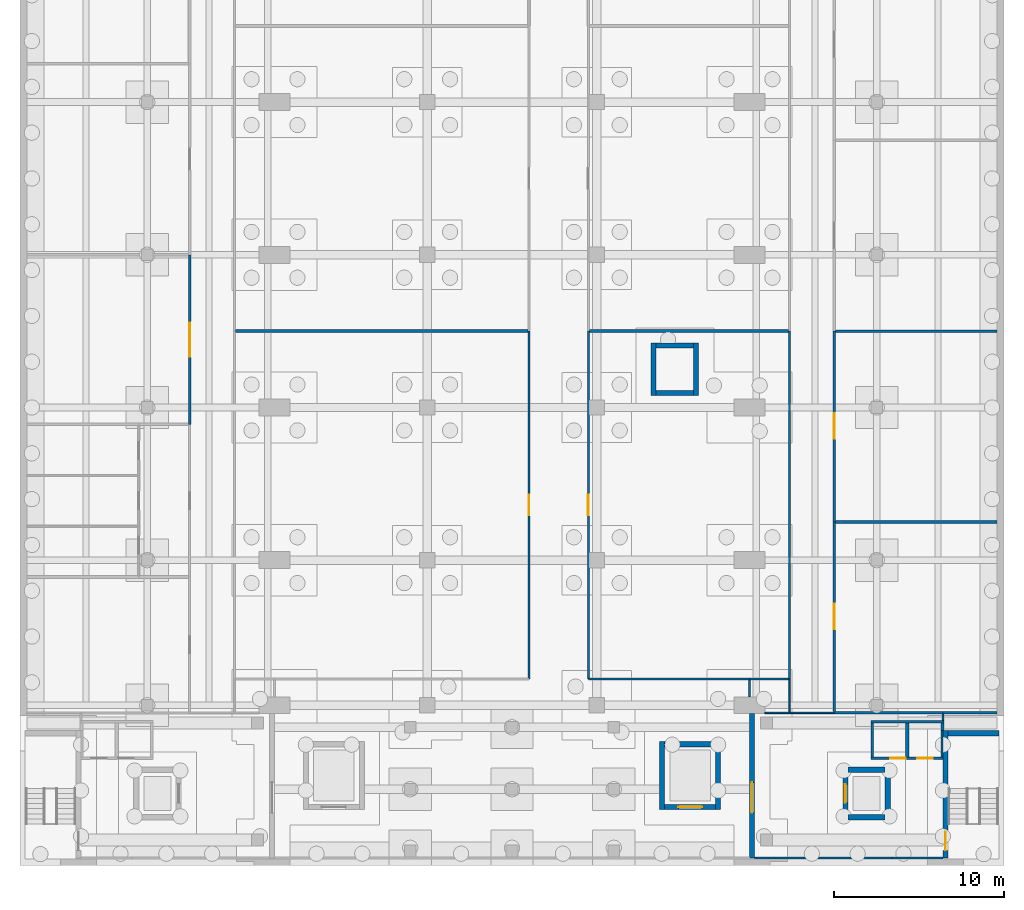
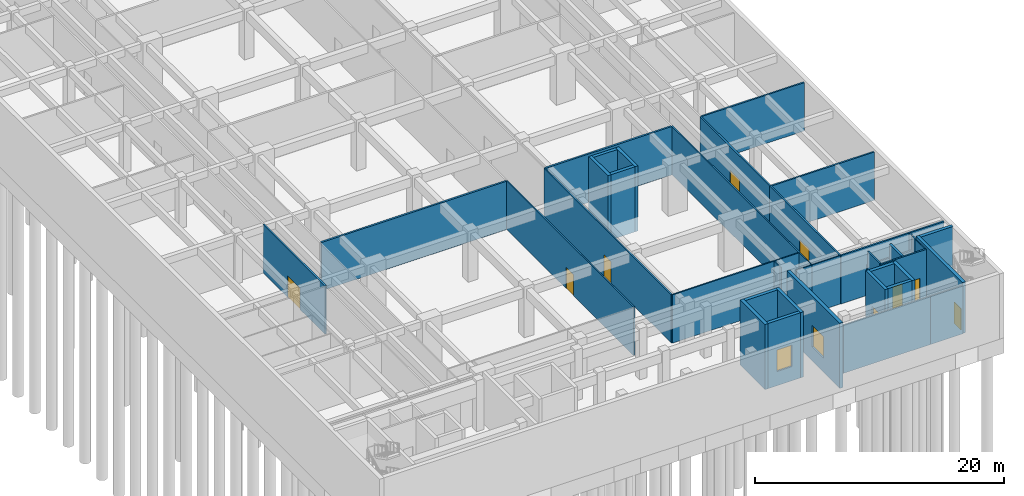
# One storey, part 9 of 19: 42 walls, 11 doors, 11 openings.
"""IFC4 building model written with IfcOpenShell, lengths in metres."""

from ifc_helpers import new_model, si_unit, direction, frame, frame_2d, origin, place, context, subcontext, project, spatial, rectangle, extrude, material, layer, layer_set, type_object, element, fill, save


model = new_model("IFC4")

# Units and contexts
model_context = context("Model", 3, precision=1e-05, world=origin(), true_north=direction((0.0, 1.0)))
body_context = subcontext(model_context, "Body", "Model", "MODEL_VIEW")
ifc_project = project(units=[si_unit("LENGTHUNIT", "METRE"), si_unit("AREAUNIT", "SQUARE_METRE"), si_unit("VOLUMEUNIT", "CUBIC_METRE"), si_unit("PLANEANGLEUNIT", "RADIAN"), si_unit("MASSUNIT", "GRAM", prefix="KILO")], contexts=[model_context])

# Site, building, storey
site_placement = place(None, origin())
site = spatial("IfcSite", under=ifc_project, at=site_placement, CompositionType="ELEMENT")
building_placement = place(site_placement, origin())
building = spatial("IfcBuilding", under=site, at=building_placement, Name="Elmora Arch Market Hall", CompositionType="ELEMENT")
storey_placement = place(building_placement, frame((0.0, 0.0, -10.0)))
storey = spatial("IfcBuildingStorey", under=building, at=storey_placement, Name="B1", CompositionType="ELEMENT", Elevation=-10.0)

# Wall
ifc_material_1 = material(Name="Blockwork", Category="masonry")
ifc_layer_1 = layer(ifc_material_1, 0.10009765625)
ifc_layer_set_1 = layer_set([ifc_layer_1], Name="Blockwork")
wall_type_1 = type_object("IfcWallType", Name="Blockwork partition 100 EI 120", PredefinedType="PARTITIONING", material=ifc_layer_set_1)
wall_1_placement = place(storey_placement, frame((54.35009765625, 24.39990234375, 0.0), z_axis=(0.0, 0.0, 1.0), x_axis=(0.0, 1.0, 0.0)))
element("IfcWall", 1, at=wall_1_placement, inside=storey, type_object=wall_type_1, Name="Riser wall B1 25", PredefinedType="PARTITIONING", context=body_context, shape_type="SweptSolid", body=[
    extrude(rectangle(XDim=1.550048828125, YDim=0.10009765625, at=frame_2d((0.77490234375, 0.0))), origin(), (0.0, 0.0, 1.0), 4.75),
])

# Wall, openings, doors
ifc_material_2 = material(Name="Blockwork", Category="masonry")
ifc_layer_2 = layer(ifc_material_2, 0.14990234375)
ifc_layer_set_2 = layer_set([ifc_layer_2], Name="Blockwork")
wall_type_2 = type_object("IfcWallType", Name="Blockwork partition 150 EI 120", PredefinedType="PARTITIONING", material=ifc_layer_set_2)
wall_2_placement = place(storey_placement, frame((50.14990234375, 24.324951171875, 0.0), z_axis=(0.0, 0.0, 1.0), x_axis=(1.0, 0.0, 0.0)))
wall_2 = element("IfcWall", 2, at=wall_2_placement, inside=storey, type_object=wall_type_2, Name="Riser wall B1 21", PredefinedType="PARTITIONING", context=body_context, shape_type="SweptSolid", body=[
    extrude(rectangle(XDim=4.25, YDim=0.14990234375, at=frame_2d((2.125, 0.0))), origin(), (0.0, 0.0, 1.0), 4.75),
])
opening_1_placement = place(wall_2_placement, frame((1.14990234375, 0.0, 0.0)))
opening_1 = element("IfcOpeningElement", 3, at=opening_1_placement, cuts=wall_2, Name="Opening D-B1-005", PredefinedType="OPENING", context=body_context, shape_type="SweptSolid", body=[
    extrude(rectangle(XDim=0.89990234375, YDim=2.10009765625, at=frame_2d((0.449951171875, 1.050048828125))), frame((0.0, 0.0849609375, 0.0), z_axis=(0.0, -1.0, 0.0), x_axis=(1.0, 0.0, 0.0)), (0.0, 0.0, 1.0), 0.169921875),
])
opening_2_placement = place(wall_2_placement, frame((2.75, 0.0, 0.0)))
opening_2 = element("IfcOpeningElement", 4, at=opening_2_placement, cuts=wall_2, Name="Opening D-B1-006", PredefinedType="OPENING", context=body_context, shape_type="SweptSolid", body=[
    extrude(rectangle(XDim=0.89990234375, YDim=2.10009765625, at=frame_2d((0.449951171875, 1.050048828125))), frame((0.0, 0.0849609375, 0.0), z_axis=(0.0, -1.0, 0.0), x_axis=(1.0, 0.0, 0.0)), (0.0, 0.0, 1.0), 0.169921875),
])
ifc_material_3 = material(Name="Steel ASTM A653 galvanised", Category="steel")
door_type_1 = type_object("IfcDoorType", Name="Door 900 x 2100 FD90", OperationType="SINGLE_SWING_LEFT", PredefinedType="DOOR", material=ifc_material_3)
door_1_placement = place(opening_1_placement, origin())
door_1 = element("IfcDoor", 5, at=door_1_placement, inside=storey, type_object=door_type_1, Name="Riser access door D-B1-005", OperationType="SINGLE_SWING_RIGHT", OverallHeight=2.10009765625, OverallWidth=0.89990234375, PredefinedType="DOOR", context=body_context, shape_type="SweptSolid", body=[
    extrude(rectangle(XDim=0.89990234375, YDim=2.10009765625, at=frame_2d((0.449951171875, 1.050048828125))), frame((0.0, 0.02490234375, 0.0), z_axis=(0.0, -1.0, 0.0), x_axis=(1.0, 0.0, 0.0)), (0.0, 0.0, 1.0), 0.050048828125),
])
fill(opening_1, door_1)
door_2_placement = place(opening_2_placement, origin())
door_2 = element("IfcDoor", 6, at=door_2_placement, inside=storey, type_object=door_type_1, Name="Riser access door D-B1-006", OperationType="SINGLE_SWING_LEFT", OverallHeight=2.10009765625, OverallWidth=0.89990234375, PredefinedType="DOOR", context=body_context, shape_type="SweptSolid", body=[
    extrude(rectangle(XDim=0.89990234375, YDim=2.10009765625, at=frame_2d((0.449951171875, 1.050048828125))), frame((0.0, 0.02490234375, 0.0), z_axis=(0.0, -1.0, 0.0), x_axis=(1.0, 0.0, 0.0)), (0.0, 0.0, 1.0), 0.050048828125),
])
fill(opening_2, door_2)

# Walls
wall_3_placement = place(storey_placement, frame((50.22509765625, 24.39990234375, 0.0), z_axis=(0.0, 0.0, 1.0), x_axis=(0.0, 1.0, 0.0)))
element("IfcWall", 7, at=wall_3_placement, inside=storey, type_object=wall_type_2, Name="Riser wall B1 22", PredefinedType="PARTITIONING", context=body_context, shape_type="SweptSolid", body=[
    extrude(rectangle(XDim=2.0, YDim=0.14990234375, at=frame_2d((1.0, 0.0))), origin(), (0.0, 0.0, 1.0), 4.75),
])
wall_4_placement = place(storey_placement, frame((50.14990234375, 26.47509765625, 0.0), z_axis=(0.0, 0.0, 1.0), x_axis=(1.0, 0.0, 0.0)))
element("IfcWall", 8, at=wall_4_placement, inside=storey, type_object=wall_type_2, Name="Riser wall B1 23", PredefinedType="PARTITIONING", context=body_context, shape_type="SweptSolid", body=[
    extrude(rectangle(XDim=4.300048828125, YDim=0.14990234375, at=frame_2d((2.14990234375, 0.0))), origin(), (0.0, 0.0, 1.0), 3.35009765625),
])
wall_5_placement = place(storey_placement, frame((54.375, 25.949951171875, 0.0), z_axis=(0.0, 0.0, 1.0), x_axis=(0.0, 1.0, 0.0)))
element("IfcWall", 9, at=wall_5_placement, inside=storey, type_object=wall_type_2, Name="Riser wall B1 26", PredefinedType="PARTITIONING", context=body_context, shape_type="SweptSolid", body=[
    extrude(rectangle(XDim=0.449951171875, YDim=0.14990234375, at=frame_2d((0.22509765625, 0.0))), origin(), (0.0, 0.0, 1.0), 4.75),
])

# Wall, opening, door
wall_6_placement = place(storey_placement, frame((10.0, 44.0, 0.0), z_axis=(0.0, 0.0, 1.0), x_axis=(0.0, 1.0, 0.0)))
wall_6 = element("IfcWall", 10, at=wall_6_placement, inside=storey, type_object=wall_type_2, Name="Partition PT-B1-070", PredefinedType="PARTITIONING", context=body_context, shape_type="SweptSolid", body=[
    extrude(rectangle(XDim=10.0, YDim=0.14990234375, at=frame_2d((5.0, 0.0))), origin(), (0.0, 0.0, 1.0), 4.75),
])
opening_3_placement = place(wall_6_placement, frame((4.0, 0.0, 0.0)))
opening_3 = element("IfcOpeningElement", 11, at=opening_3_placement, cuts=wall_6, Name="Opening D-B1-016", PredefinedType="OPENING", context=body_context, shape_type="SweptSolid", body=[
    extrude(rectangle(XDim=2.0, YDim=2.10009765625, at=frame_2d((1.0, 1.050048828125))), frame((0.0, 0.0849609375, 0.0), z_axis=(0.0, -1.0, 0.0), x_axis=(1.0, 0.0, 0.0)), (0.0, 0.0, 1.0), 0.169921875),
])
ifc_material_4 = material(Name="Steel ASTM A653 galvanised", Category="steel")
door_type_2 = type_object("IfcDoorType", Name="Double door 2000 x 2100 FD90", OperationType="DOUBLE_DOOR_SINGLE_SWING", PredefinedType="DOOR", material=ifc_material_4)
door_3_placement = place(opening_3_placement, origin())
door_3 = element("IfcDoor", 12, at=door_3_placement, inside=storey, type_object=door_type_2, Name="D-B1-016", OperationType="DOUBLE_DOOR_SINGLE_SWING", OverallHeight=2.10009765625, OverallWidth=2.0, PredefinedType="DOOR", context=body_context, shape_type="SweptSolid", body=[
    extrude(rectangle(XDim=2.0, YDim=2.10009765625, at=frame_2d((1.0, 1.050048828125))), frame((0.0, 0.02490234375, 0.0), z_axis=(0.0, -1.0, 0.0), x_axis=(1.0, 0.0, 0.0)), (0.0, 0.0, 1.0), 0.050048828125),
])
fill(opening_3, door_3)

# Walls
ifc_material_5 = material(Name="Blockwork", Category="masonry")
ifc_layer_3 = layer(ifc_material_5, 0.199951171875)
ifc_layer_set_3 = layer_set([ifc_layer_3], Name="Blockwork")
wall_type_3 = type_object("IfcWallType", Name="Blockwork partition 200 EI 120", PredefinedType="PARTITIONING", material=ifc_layer_set_3)
wall_7_placement = place(storey_placement, frame((52.300048828125, 24.39990234375, 0.0), z_axis=(0.0, 0.0, 1.0), x_axis=(0.0, 1.0, 0.0)))
element("IfcWall", 13, at=wall_7_placement, inside=storey, type_object=wall_type_3, Name="Riser wall B1 24", PredefinedType="PARTITIONING", context=body_context, shape_type="SweptSolid", body=[
    extrude(rectangle(XDim=2.0, YDim=0.199951171875, at=frame_2d((1.0, 0.0))), origin(), (0.0, 0.0, 1.0), 4.75),
])
ifc_material_6 = material(Name="Insulated metal panel")
ifc_layer_4 = layer(ifc_material_6, 0.14990234375)
ifc_layer_set_4 = layer_set([ifc_layer_4], Name="Insulated metal panel")
wall_type_4 = type_object("IfcWallType", Name="Cold store panel 150 EI 60", PredefinedType="PARTITIONING", material=ifc_layer_set_4)
wall_8_placement = place(storey_placement, frame((48.0, 27.0, 0.0), z_axis=(0.0, 0.0, 1.0), x_axis=(1.0, 0.0, 0.0)))
element("IfcWall", 14, at=wall_8_placement, inside=storey, type_object=wall_type_4, Name="Partition PT-B1-012", PredefinedType="PARTITIONING", context=body_context, shape_type="SweptSolid", body=[
    extrude(rectangle(XDim=6.39990234375, YDim=0.14990234375, at=frame_2d((3.199951171875, 0.0))), origin(), (0.0, 0.0, 1.0), 4.75),
])
wall_9_placement = place(storey_placement, frame((54.39990234375, 27.0, 0.0), z_axis=(0.0, 0.0, 1.0), x_axis=(1.0, 0.0, 0.0)))
element("IfcWall", 15, at=wall_9_placement, inside=storey, type_object=wall_type_4, Name="Partition PT-B1-013", PredefinedType="PARTITIONING", context=body_context, shape_type="SweptSolid", body=[
    extrude(rectangle(XDim=3.2001953125, YDim=0.14990234375, at=frame_2d((1.60009765625, 0.0))), origin(), (0.0, 0.0, 1.0), 4.75),
])
for number, where, z_axis, x_axis, name in (
    (16, (48.074951171875, 38.25, 0.0), (0.0, 0.0, 1.0), (1.0, 0.0, 0.0), "Partition PT-B1-021"),
    (17, (48.074951171875, 49.5, 0.0), (0.0, 0.0, 1.0), (1.0, 0.0, 0.0), "Partition PT-B1-027"),
):
    element("IfcWall", number, at=place(storey_placement, frame(where, z_axis=z_axis, x_axis=x_axis)), inside=storey, type_object=wall_type_4, Name=name, PredefinedType="PARTITIONING", context=body_context, shape_type="SweptSolid", body=[
        extrude(rectangle(XDim=9.525146484375, YDim=0.14990234375, at=frame_2d((4.7626953125, 0.0))), origin(), (0.0, 0.0, 1.0), 4.75),
    ])

# Wall, opening, door
wall_10_placement = place(storey_placement, frame((48.0, 27.074951171875, 0.0), z_axis=(0.0, 0.0, 1.0), x_axis=(0.0, 1.0, 0.0)))
wall_10 = element("IfcWall", 18, at=wall_10_placement, inside=storey, type_object=wall_type_4, Name="Partition PT-B1-101", PredefinedType="PARTITIONING", context=body_context, shape_type="SweptSolid", body=[
    extrude(rectangle(XDim=11.175048828125, YDim=0.14990234375, at=frame_2d((5.58740234375, 0.0))), origin(), (0.0, 0.0, 1.0), 4.75),
])
opening_4_placement = place(wall_10_placement, frame((4.85009765625, 0.0, 0.0)))
opening_4 = element("IfcOpeningElement", 19, at=opening_4_placement, cuts=wall_10, Name="Opening D-B1-008", PredefinedType="OPENING", context=body_context, shape_type="SweptSolid", body=[
    extrude(rectangle(XDim=1.5, YDim=2.39990234375, at=frame_2d((0.75, 1.199951171875))), frame((0.0, 0.0849609375, 0.0), z_axis=(0.0, -1.0, 0.0), x_axis=(1.0, 0.0, 0.0)), (0.0, 0.0, 1.0), 0.169921875),
])
ifc_material_7 = material(Name="Insulated door panel")
door_type_3 = type_object("IfcDoorType", Name="Cold store door 1500 x 2400 FD45", OperationType="SLIDING_TO_LEFT", PredefinedType="DOOR", material=ifc_material_7)
door_4_placement = place(opening_4_placement, origin())
door_4 = element("IfcDoor", 20, at=door_4_placement, inside=storey, type_object=door_type_3, Name="D-B1-008", OperationType="SLIDING_TO_LEFT", OverallHeight=2.39990234375, OverallWidth=1.5, PredefinedType="DOOR", context=body_context, shape_type="SweptSolid", body=[
    extrude(rectangle(XDim=1.5, YDim=2.39990234375, at=frame_2d((0.75, 1.199951171875))), frame((0.0, 0.02490234375, 0.0), z_axis=(0.0, -1.0, 0.0), x_axis=(1.0, 0.0, 0.0)), (0.0, 0.0, 1.0), 0.050048828125),
])
fill(opening_4, door_4)

wall_11_placement = place(storey_placement, frame((48.0, 38.25, 0.0), z_axis=(0.0, 0.0, 1.0), x_axis=(0.0, 1.0, 0.0)))
wall_11 = element("IfcWall", 21, at=wall_11_placement, inside=storey, type_object=wall_type_4, Name="Partition PT-B1-102", PredefinedType="PARTITIONING", context=body_context, shape_type="SweptSolid", body=[
    extrude(rectangle(XDim=11.25, YDim=0.14990234375, at=frame_2d((5.625, 0.0))), origin(), (0.0, 0.0, 1.0), 4.75),
])
opening_5_placement = place(wall_11_placement, frame((4.89990234375, 0.0, 0.0)))
opening_5 = element("IfcOpeningElement", 22, at=opening_5_placement, cuts=wall_11, Name="Opening D-B1-015", PredefinedType="OPENING", context=body_context, shape_type="SweptSolid", body=[
    extrude(rectangle(XDim=1.5, YDim=2.39990234375, at=frame_2d((0.75, 1.199951171875))), frame((0.0, 0.0849609375, 0.0), z_axis=(0.0, -1.0, 0.0), x_axis=(1.0, 0.0, 0.0)), (0.0, 0.0, 1.0), 0.169921875),
])
door_5_placement = place(opening_5_placement, origin())
door_5 = element("IfcDoor", 23, at=door_5_placement, inside=storey, type_object=door_type_3, Name="D-B1-015", OperationType="SLIDING_TO_LEFT", OverallHeight=2.39990234375, OverallWidth=1.5, PredefinedType="DOOR", context=body_context, shape_type="SweptSolid", body=[
    extrude(rectangle(XDim=1.5, YDim=2.39990234375, at=frame_2d((0.75, 1.199951171875))), frame((0.0, 0.02490234375, 0.0), z_axis=(0.0, -1.0, 0.0), x_axis=(1.0, 0.0, 0.0)), (0.0, 0.0, 1.0), 0.050048828125),
])
fill(opening_5, door_5)

ifc_material_8 = material(Name="Concrete C40/50", Category="concrete")
ifc_layer_5 = layer(ifc_material_8, 0.300048828125)
ifc_layer_set_5 = layer_set([ifc_layer_5], Name="Concrete C40/50")
wall_type_5 = type_object("IfcWallType", Name="Dock wall 300", PredefinedType="SOLIDWALL", material=ifc_layer_set_5)
wall_12_placement = place(storey_placement, frame((43.14990234375, 18.449951171875, -1.39990234375), z_axis=(0.0, 0.0, 1.0), x_axis=(0.0, 1.0, 0.0)))
wall_12 = element("IfcWall", 24, at=wall_12_placement, inside=storey, type_object=wall_type_5, Name="Dock wall E B1", PredefinedType="SOLIDWALL", context=body_context, shape_type="SweptSolid", body=[
    extrude(rectangle(XDim=8.5, YDim=0.300048828125, at=frame_2d((4.25, 0.0))), origin(), (0.0, 0.0, 1.0), 6.39990234375),
])
opening_6_placement = place(wall_12_placement, frame((2.64990234375, 0.0, 1.39990234375)))
opening_6 = element("IfcOpeningElement", 25, at=opening_6_placement, cuts=wall_12, Name="Opening D-B1-002", PredefinedType="OPENING", context=body_context, shape_type="SweptSolid", body=[
    extrude(rectangle(XDim=1.800048828125, YDim=2.10009765625, at=frame_2d((0.89990234375, 1.050048828125))), frame((0.0, 0.159912109375, 0.0), z_axis=(0.0, -1.0, 0.0), x_axis=(1.0, 0.0, 0.0)), (0.0, 0.0, 1.0), 0.320068359375),
])
ifc_material_9 = material(Name="Steel ASTM A653 galvanised", Category="steel")
door_type_4 = type_object("IfcDoorType", Name="Double door 1800 x 2100", OperationType="DOUBLE_DOOR_SINGLE_SWING", PredefinedType="DOOR", material=ifc_material_9)
door_6_placement = place(opening_6_placement, frame((1.800048828125, 0.0, 0.0), z_axis=(0.0, 0.0, 1.0), x_axis=(-1.0, 0.0, 0.0)))
door_6 = element("IfcDoor", 26, at=door_6_placement, inside=storey, type_object=door_type_4, Name="D-B1-002", OperationType="DOUBLE_DOOR_SINGLE_SWING", OverallHeight=2.10009765625, OverallWidth=1.800048828125, PredefinedType="DOOR", context=body_context, shape_type="SweptSolid", body=[
    extrude(rectangle(XDim=1.800048828125, YDim=2.10009765625, at=frame_2d((0.89990234375, 1.050048828125))), frame((0.0, 0.02490234375, 0.0), z_axis=(0.0, -1.0, 0.0), x_axis=(1.0, 0.0, 0.0)), (0.0, 0.0, 1.0), 0.050048828125),
])
fill(opening_6, door_6)

ifc_material_10 = material(Name="Concrete C40/50", Category="concrete")
ifc_layer_6 = layer(ifc_material_10, 0.300048828125)
ifc_layer_set_6 = layer_set([ifc_layer_6], Name="Concrete C40/50")
wall_type_6 = type_object("IfcWallType", Name="Lift shaft wall 300", PredefinedType="SHEAR", material=ifc_layer_set_6)
wall_13_placement = place(storey_placement, frame((48.64990234375, 20.699951171875, -1.39990234375), z_axis=(0.0, 0.0, 1.0), x_axis=(0.0, 1.0, 0.0)))
wall_13 = element("IfcWall", 27, at=wall_13_placement, inside=storey, type_object=wall_type_6, Name="Lift shaft wall WL2 W B1", PredefinedType="SHEAR", context=body_context, shape_type="SweptSolid", body=[
    extrude(rectangle(XDim=3.10009765625, YDim=0.300048828125, at=frame_2d((1.550048828125, 0.0))), origin(), (0.0, 0.0, 1.0), 6.39990234375),
])
opening_7_placement = place(wall_13_placement, frame((1.0, 0.0, 1.39990234375)))
opening_7 = element("IfcOpeningElement", 28, at=opening_7_placement, cuts=wall_13, Name="Opening LD-WL2-B1", PredefinedType="OPENING", context=body_context, shape_type="SweptSolid", body=[
    extrude(rectangle(XDim=1.10009765625, YDim=2.10009765625, at=frame_2d((0.550048828125, 1.050048828125))), frame((0.0, 0.159912109375, 0.0), z_axis=(0.0, -1.0, 0.0), x_axis=(1.0, 0.0, 0.0)), (0.0, 0.0, 1.0), 0.320068359375),
])
ifc_material_11 = material(Name="Stainless steel ASTM A240 Type 304", Category="steel")
door_type_5 = type_object("IfcDoorType", Name="Lift landing door 1100 x 2100 FD90", OperationType="SLIDING_TO_LEFT", PredefinedType="DOOR", material=ifc_material_11)
door_7_placement = place(opening_7_placement, origin())
door_7 = element("IfcDoor", 29, at=door_7_placement, inside=storey, type_object=door_type_5, Name="Landing door WL2 B1", OperationType="SLIDING_TO_LEFT", OverallHeight=2.10009765625, OverallWidth=1.10009765625, PredefinedType="DOOR", context=body_context, shape_type="SweptSolid", body=[
    extrude(rectangle(XDim=1.10009765625, YDim=2.10009765625, at=frame_2d((0.550048828125, 1.050048828125))), frame((0.0, 0.02490234375, 0.0), z_axis=(0.0, -1.0, 0.0), x_axis=(1.0, 0.0, 0.0)), (0.0, 0.0, 1.0), 0.050048828125),
])
fill(opening_7, door_7)

# Walls
wall_14_placement = place(storey_placement, frame((51.14990234375, 20.699951171875, -1.39990234375), z_axis=(0.0, 0.0, 1.0), x_axis=(0.0, 1.0, 0.0)))
element("IfcWall", 30, at=wall_14_placement, inside=storey, type_object=wall_type_6, Name="Lift shaft wall WL2 E B1", PredefinedType="SHEAR", context=body_context, shape_type="SweptSolid", body=[
    extrude(rectangle(XDim=3.10009765625, YDim=0.300048828125, at=frame_2d((1.550048828125, 0.0))), origin(), (0.0, 0.0, 1.0), 6.39990234375),
])
for number, where, z_axis, x_axis, name in (
    (31, (48.800048828125, 20.85009765625, -1.39990234375), (0.0, 0.0, 1.0), (1.0, 0.0, 0.0), "Lift shaft wall WL2 S B1"),
    (32, (48.800048828125, 23.64990234375, -1.39990234375), (0.0, 0.0, 1.0), (1.0, 0.0, 0.0), "Lift shaft wall WL2 N B1"),
):
    element("IfcWall", number, at=place(storey_placement, frame(where, z_axis=z_axis, x_axis=x_axis)), inside=storey, type_object=wall_type_6, Name=name, PredefinedType="SHEAR", context=body_context, shape_type="SweptSolid", body=[
        extrude(rectangle(XDim=2.199951171875, YDim=0.300048828125, at=frame_2d((1.10009765625, 0.0))), origin(), (0.0, 0.0, 1.0), 6.39990234375),
    ])
for number, where, z_axis, x_axis, name in (
    (33, (37.35009765625, 45.699951171875, -1.39990234375), (0.0, 0.0, 1.0), (0.0, 1.0, 0.0), "Lift shaft wall ML1 W B1"),
    (34, (39.85009765625, 45.699951171875, -1.39990234375), (0.0, 0.0, 1.0), (0.0, 1.0, 0.0), "Lift shaft wall ML1 E B1"),
):
    element("IfcWall", number, at=place(storey_placement, frame(where, z_axis=z_axis, x_axis=x_axis)), inside=storey, type_object=wall_type_6, Name=name, PredefinedType="SHEAR", context=body_context, shape_type="SweptSolid", body=[
        extrude(rectangle(XDim=3.10009765625, YDim=0.300048828125, at=frame_2d((1.550048828125, 0.0))), origin(), (0.0, 0.0, 1.0), 6.39990234375),
    ])
for number, where, z_axis, x_axis, name in (
    (35, (37.5, 45.85009765625, -1.39990234375), (0.0, 0.0, 1.0), (1.0, 0.0, 0.0), "Lift shaft wall ML1 S B1"),
    (36, (37.5, 48.64990234375, -1.39990234375), (0.0, 0.0, 1.0), (1.0, 0.0, 0.0), "Lift shaft wall ML1 N B1"),
):
    element("IfcWall", number, at=place(storey_placement, frame(where, z_axis=z_axis, x_axis=x_axis)), inside=storey, type_object=wall_type_6, Name=name, PredefinedType="SHEAR", context=body_context, shape_type="SweptSolid", body=[
        extrude(rectangle(XDim=2.199951171875, YDim=0.300048828125, at=frame_2d((1.10009765625, 0.0))), origin(), (0.0, 0.0, 1.0), 6.39990234375),
    ])
for number, where, z_axis, x_axis, name in (
    (37, (37.85009765625, 21.300048828125, -1.39990234375), (0.0, 0.0, 1.0), (0.0, 1.0, 0.0), "Lift shaft wall GL2 W B1"),
    (38, (41.14990234375, 21.300048828125, -1.39990234375), (0.0, 0.0, 1.0), (0.0, 1.0, 0.0), "Lift shaft wall GL2 E B1"),
):
    element("IfcWall", number, at=place(storey_placement, frame(where, z_axis=z_axis, x_axis=x_axis)), inside=storey, type_object=wall_type_6, Name=name, PredefinedType="SHEAR", context=body_context, shape_type="SweptSolid", body=[
        extrude(rectangle(XDim=4.0, YDim=0.300048828125, at=frame_2d((2.0, 0.0))), origin(), (0.0, 0.0, 1.0), 6.39990234375),
    ])

# Wall, opening, door
wall_15_placement = place(storey_placement, frame((38.0, 21.449951171875, -1.39990234375), z_axis=(0.0, 0.0, 1.0), x_axis=(1.0, 0.0, 0.0)))
wall_15 = element("IfcWall", 39, at=wall_15_placement, inside=storey, type_object=wall_type_6, Name="Lift shaft wall GL2 S B1", PredefinedType="SHEAR", context=body_context, shape_type="SweptSolid", body=[
    extrude(rectangle(XDim=3.0, YDim=0.300048828125, at=frame_2d((1.5, 0.0))), origin(), (0.0, 0.0, 1.0), 6.39990234375),
])
opening_8_placement = place(wall_15_placement, frame((0.800048828125, 0.0, 1.39990234375)))
opening_8 = element("IfcOpeningElement", 40, at=opening_8_placement, cuts=wall_15, Name="Opening LD-GL2-B1", PredefinedType="OPENING", context=body_context, shape_type="SweptSolid", body=[
    extrude(rectangle(XDim=1.39990234375, YDim=2.10009765625, at=frame_2d((0.699951171875, 1.050048828125))), frame((0.0, 0.159912109375, 0.0), z_axis=(0.0, -1.0, 0.0), x_axis=(1.0, 0.0, 0.0)), (0.0, 0.0, 1.0), 0.320068359375),
])
ifc_material_12 = material(Name="Stainless steel ASTM A240 Type 304", Category="steel")
door_type_6 = type_object("IfcDoorType", Name="Lift landing door 1400 x 2100 FD90", OperationType="DOUBLE_DOOR_SLIDING", PredefinedType="DOOR", material=ifc_material_12)
door_8_placement = place(opening_8_placement, origin())
door_8 = element("IfcDoor", 41, at=door_8_placement, inside=storey, type_object=door_type_6, Name="Landing door GL2 B1", OperationType="DOUBLE_DOOR_SLIDING", OverallHeight=2.10009765625, OverallWidth=1.39990234375, PredefinedType="DOOR", context=body_context, shape_type="SweptSolid", body=[
    extrude(rectangle(XDim=1.39990234375, YDim=2.10009765625, at=frame_2d((0.699951171875, 1.050048828125))), frame((0.0, 0.02490234375, 0.0), z_axis=(0.0, -1.0, 0.0), x_axis=(1.0, 0.0, 0.0)), (0.0, 0.0, 1.0), 0.050048828125),
])
fill(opening_8, door_8)

# Walls
wall_16_placement = place(storey_placement, frame((38.0, 25.14990234375, -1.39990234375), z_axis=(0.0, 0.0, 1.0), x_axis=(1.0, 0.0, 0.0)))
element("IfcWall", 42, at=wall_16_placement, inside=storey, type_object=wall_type_6, Name="Lift shaft wall GL2 N B1", PredefinedType="SHEAR", context=body_context, shape_type="SweptSolid", body=[
    extrude(rectangle(XDim=3.0, YDim=0.300048828125, at=frame_2d((1.5, 0.0))), origin(), (0.0, 0.0, 1.0), 6.39990234375),
])
ifc_material_13 = material(Name="Gypsum board on metal studs")
ifc_layer_7 = layer(ifc_material_13, 0.10009765625)
ifc_layer_set_7 = layer_set([ifc_layer_7], Name="Gypsum board on metal studs")
wall_type_7 = type_object("IfcWallType", Name="Partition 100", PredefinedType="PARTITIONING", material=ifc_layer_set_7)
wall_17_placement = place(storey_placement, frame((43.300048828125, 18.449951171875, 0.0), z_axis=(0.0, 0.0, 1.0), x_axis=(1.0, 0.0, 0.0)))
element("IfcWall", 43, at=wall_17_placement, inside=storey, type_object=wall_type_7, Name="Partition PT-B1-004", PredefinedType="PARTITIONING", context=body_context, shape_type="SweptSolid", body=[
    extrude(rectangle(XDim=8.10986328125, YDim=0.10009765625, at=frame_2d((4.054931640625, 0.0))), origin(), (0.0, 0.0, 1.0), 4.75),
])
wall_18_placement = place(storey_placement, frame((51.409912109375, 18.449951171875, 0.0), z_axis=(0.0, 0.0, 1.0), x_axis=(1.0, 0.0, 0.0)))
element("IfcWall", 44, at=wall_18_placement, inside=storey, type_object=wall_type_7, Name="Partition PT-B1-005", PredefinedType="PARTITIONING", context=body_context, shape_type="SweptSolid", body=[
    extrude(rectangle(XDim=2.989990234375, YDim=0.10009765625, at=frame_2d((1.4951171875, 0.0))), origin(), (0.0, 0.0, 1.0), 4.75),
])
wall_19_placement = place(storey_placement, frame((43.89990234375, 27.0, 0.0), z_axis=(0.0, 0.0, 1.0), x_axis=(1.0, 0.0, 0.0)))
element("IfcWall", 45, at=wall_19_placement, inside=storey, type_object=wall_type_7, Name="Partition PT-B1-010", PredefinedType="PARTITIONING", context=body_context, shape_type="SweptSolid", body=[
    extrude(rectangle(XDim=1.4501953125, YDim=0.10009765625, at=frame_2d((0.72509765625, 0.0))), origin(), (0.0, 0.0, 1.0), 4.75),
])
wall_20_placement = place(storey_placement, frame((45.35009765625, 27.0, 0.0), z_axis=(0.0, 0.0, 1.0), x_axis=(1.0, 0.0, 0.0)))
element("IfcWall", 46, at=wall_20_placement, inside=storey, type_object=wall_type_7, Name="Partition PT-B1-011", PredefinedType="PARTITIONING", context=body_context, shape_type="SweptSolid", body=[
    extrude(rectangle(XDim=2.64990234375, YDim=0.10009765625, at=frame_2d((1.324951171875, 0.0))), origin(), (0.0, 0.0, 1.0), 4.75),
])
wall_21_placement = place(storey_placement, frame((43.0, 29.0, 0.0), z_axis=(0.0, 0.0, 1.0), x_axis=(1.0, 0.0, 0.0)))
element("IfcWall", 47, at=wall_21_placement, inside=storey, type_object=wall_type_7, Name="Partition PT-B1-017", PredefinedType="PARTITIONING", context=body_context, shape_type="SweptSolid", body=[
    extrude(rectangle(XDim=2.28759765625, YDim=0.10009765625, at=frame_2d((1.143798828125, 0.0))), origin(), (0.0, 0.0, 1.0), 4.75),
])
wall_22_placement = place(storey_placement, frame((43.0, 27.949951171875, 0.0), z_axis=(0.0, 0.0, 1.0), x_axis=(0.0, 1.0, 0.0)))
element("IfcWall", 48, at=wall_22_placement, inside=storey, type_object=wall_type_7, Name="Partition PT-B1-094", PredefinedType="PARTITIONING", context=body_context, shape_type="SweptSolid", body=[
    extrude(rectangle(XDim=0.987548828125, YDim=0.10009765625, at=frame_2d((0.49365234375, 0.0))), origin(), (0.0, 0.0, 1.0), 4.75),
])
wall_23_placement = place(storey_placement, frame((45.35009765625, 27.050048828125, 0.0), z_axis=(0.0, 0.0, 1.0), x_axis=(0.0, 1.0, 0.0)))
element("IfcWall", 49, at=wall_23_placement, inside=storey, type_object=wall_type_7, Name="Partition PT-B1-095", PredefinedType="PARTITIONING", context=body_context, shape_type="SweptSolid", body=[
    extrude(rectangle(XDim=1.949951171875, YDim=0.10009765625, at=frame_2d((0.97509765625, 0.0))), origin(), (0.0, 0.0, 1.0), 4.75),
])
wall_24_placement = place(storey_placement, frame((54.39990234375, 26.550048828125, 0.0), z_axis=(0.0, 0.0, 1.0), x_axis=(0.0, 1.0, 0.0)))
element("IfcWall", 50, at=wall_24_placement, inside=storey, type_object=wall_type_7, Name="Partition PT-B1-108", PredefinedType="PARTITIONING", context=body_context, shape_type="SweptSolid", body=[
    extrude(rectangle(XDim=0.375, YDim=0.10009765625, at=frame_2d((0.1875, 0.0))), origin(), (0.0, 0.0, 1.0), 4.75),
])
ifc_material_14 = material(Name="Gypsum board on metal studs")
ifc_layer_8 = layer(ifc_material_14, 0.125)
ifc_layer_set_8 = layer_set([ifc_layer_8], Name="Gypsum board on metal studs")
wall_type_8 = type_object("IfcWallType", Name="Partition 125 EI 60", PredefinedType="PARTITIONING", material=ifc_layer_set_8)
wall_25_placement = place(storey_placement, frame((33.510009765625, 29.0, 0.0), z_axis=(0.0, 0.0, 1.0), x_axis=(1.0, 0.0, 0.0)))
element("IfcWall", 51, at=wall_25_placement, inside=storey, type_object=wall_type_8, Name="Partition PT-B1-016", PredefinedType="PARTITIONING", context=body_context, shape_type="SweptSolid", body=[
    extrude(rectangle(XDim=9.489990234375, YDim=0.125, at=frame_2d((4.7451171875, 0.0))), origin(), (0.0, 0.0, 1.0), 4.75),
])

# Wall, opening, door
wall_26_placement = place(storey_placement, frame((30.0, 29.010009765625, 0.0), z_axis=(0.0, 0.0, 1.0), x_axis=(0.0, 1.0, 0.0)))
wall_26 = element("IfcWall", 52, at=wall_26_placement, inside=storey, type_object=wall_type_8, Name="Partition PT-B1-084", PredefinedType="PARTITIONING", context=body_context, shape_type="SweptSolid", body=[
    extrude(rectangle(XDim=20.489990234375, YDim=0.125, at=frame_2d((10.2451171875, 0.0))), origin(), (0.0, 0.0, 1.0), 4.75),
])
opening_9_placement = place(wall_26_placement, frame((9.64990234375, 0.0, 0.0)))
opening_9 = element("IfcOpeningElement", 53, at=opening_9_placement, cuts=wall_26, Name="Opening D-B1-010", PredefinedType="OPENING", context=body_context, shape_type="SweptSolid", body=[
    extrude(rectangle(XDim=1.199951171875, YDim=2.10009765625, at=frame_2d((0.60009765625, 1.050048828125))), frame((0.0, 0.072509765625, 0.0), z_axis=(0.0, -1.0, 0.0), x_axis=(1.0, 0.0, 0.0)), (0.0, 0.0, 1.0), 0.14501953125),
])
ifc_material_15 = material(Name="Steel ASTM A653 galvanised", Category="steel")
door_type_7 = type_object("IfcDoorType", Name="Door 1200 x 2100 FD45", OperationType="SINGLE_SWING_LEFT", PredefinedType="DOOR", material=ifc_material_15)
door_9_placement = place(opening_9_placement, origin())
door_9 = element("IfcDoor", 54, at=door_9_placement, inside=storey, type_object=door_type_7, Name="D-B1-010", OperationType="SINGLE_SWING_RIGHT", OverallHeight=2.10009765625, OverallWidth=1.199951171875, PredefinedType="DOOR", context=body_context, shape_type="SweptSolid", body=[
    extrude(rectangle(XDim=1.199951171875, YDim=2.10009765625, at=frame_2d((0.60009765625, 1.050048828125))), frame((0.0, 0.02490234375, 0.0), z_axis=(0.0, -1.0, 0.0), x_axis=(1.0, 0.0, 0.0)), (0.0, 0.0, 1.0), 0.050048828125),
])
fill(opening_9, door_9)

wall_27_placement = place(storey_placement, frame((33.5, 29.010009765625, 0.0), z_axis=(0.0, 0.0, 1.0), x_axis=(0.0, 1.0, 0.0)))
wall_27 = element("IfcWall", 55, at=wall_27_placement, inside=storey, type_object=wall_type_8, Name="Partition PT-B1-089", PredefinedType="PARTITIONING", context=body_context, shape_type="SweptSolid", body=[
    extrude(rectangle(XDim=20.489990234375, YDim=0.125, at=frame_2d((10.2451171875, 0.0))), origin(), (0.0, 0.0, 1.0), 4.75),
])
opening_10_placement = place(wall_27_placement, frame((9.64990234375, 0.0, 0.0)))
opening_10 = element("IfcOpeningElement", 56, at=opening_10_placement, cuts=wall_27, Name="Opening D-B1-011", PredefinedType="OPENING", context=body_context, shape_type="SweptSolid", body=[
    extrude(rectangle(XDim=1.199951171875, YDim=2.10009765625, at=frame_2d((0.60009765625, 1.050048828125))), frame((0.0, 0.072509765625, 0.0), z_axis=(0.0, -1.0, 0.0), x_axis=(1.0, 0.0, 0.0)), (0.0, 0.0, 1.0), 0.14501953125),
])
door_10_placement = place(opening_10_placement, frame((1.199951171875, 0.0, 0.0), z_axis=(0.0, 0.0, 1.0), x_axis=(-1.0, 0.0, 0.0)))
door_10 = element("IfcDoor", 57, at=door_10_placement, inside=storey, type_object=door_type_7, Name="D-B1-011", OperationType="SINGLE_SWING_LEFT", OverallHeight=2.10009765625, OverallWidth=1.199951171875, PredefinedType="DOOR", context=body_context, shape_type="SweptSolid", body=[
    extrude(rectangle(XDim=1.199951171875, YDim=2.10009765625, at=frame_2d((0.60009765625, 1.050048828125))), frame((0.0, 0.02490234375, 0.0), z_axis=(0.0, -1.0, 0.0), x_axis=(1.0, 0.0, 0.0)), (0.0, 0.0, 1.0), 0.050048828125),
])
fill(opening_10, door_10)

# Walls
wall_28_placement = place(storey_placement, frame((45.35009765625, 29.0, 0.0), z_axis=(0.0, 0.0, 1.0), x_axis=(0.0, 1.0, 0.0)))
element("IfcWall", 58, at=wall_28_placement, inside=storey, type_object=wall_type_8, Name="Partition PT-B1-096", PredefinedType="PARTITIONING", context=body_context, shape_type="SweptSolid", body=[
    extrude(rectangle(XDim=20.5, YDim=0.125, at=frame_2d((10.25, 0.0))), origin(), (0.0, 0.0, 1.0), 4.75),
])
ifc_material_16 = material(Name="Gypsum board on metal studs")
ifc_layer_9 = layer(ifc_material_16, 0.175048828125)
ifc_layer_set_9 = layer_set([ifc_layer_9], Name="Gypsum board on metal studs")
wall_type_9 = type_object("IfcWallType", Name="Partition 175 EI 60", PredefinedType="PARTITIONING", material=ifc_layer_set_9)
wall_29_placement = place(storey_placement, frame((12.71240234375, 49.5, 0.0), z_axis=(0.0, 0.0, 1.0), x_axis=(1.0, 0.0, 0.0)))
element("IfcWall", 59, at=wall_29_placement, inside=storey, type_object=wall_type_9, Name="Partition PT-B1-025", PredefinedType="PARTITIONING", context=body_context, shape_type="SweptSolid", body=[
    extrude(rectangle(XDim=17.22509765625, YDim=0.175048828125, at=frame_2d((8.612548828125, 0.0))), origin(), (0.0, 0.0, 1.0), 4.75),
])
wall_30_placement = place(storey_placement, frame((33.5625, 49.5, 0.0), z_axis=(0.0, 0.0, 1.0), x_axis=(1.0, 0.0, 0.0)))
element("IfcWall", 60, at=wall_30_placement, inside=storey, type_object=wall_type_9, Name="Partition PT-B1-026", PredefinedType="PARTITIONING", context=body_context, shape_type="SweptSolid", body=[
    extrude(rectangle(XDim=11.72509765625, YDim=0.175048828125, at=frame_2d((5.862548828125, 0.0))), origin(), (0.0, 0.0, 1.0), 4.75),
])
ifc_material_17 = material(Name="Concrete C40/50", Category="concrete")
ifc_layer_10 = layer(ifc_material_17, 0.300048828125)
ifc_layer_set_10 = layer_set([ifc_layer_10], Name="Concrete C40/50")
wall_type_10 = type_object("IfcWallType", Name="Stair wall 300", PredefinedType="SHEAR", material=ifc_layer_set_10)
wall_31_placement = place(storey_placement, frame((54.699951171875, 25.800048828125, 0.0), z_axis=(0.0, 0.0, 1.0), x_axis=(1.0, 0.0, 0.0)))
element("IfcWall", 61, at=wall_31_placement, inside=storey, type_object=wall_type_10, Name="Stair wall ST-ES N B1", PredefinedType="SHEAR", context=body_context, shape_type="SweptSolid", body=[
    extrude(rectangle(XDim=3.0, YDim=0.300048828125, at=frame_2d((1.5, 0.0))), origin(), (0.0, 0.0, 1.0), 5.0),
])

# Wall, opening, door
wall_32_placement = place(storey_placement, frame((54.550048828125, 18.449951171875, 0.0), z_axis=(0.0, 0.0, 1.0), x_axis=(0.0, 1.0, 0.0)))
wall_32 = element("IfcWall", 62, at=wall_32_placement, inside=storey, type_object=wall_type_10, Name="Stair wall ST-ES W B1", PredefinedType="SHEAR", context=body_context, shape_type="SweptSolid", body=[
    extrude(rectangle(XDim=7.5, YDim=0.300048828125, at=frame_2d((3.75, 0.0))), origin(), (0.0, 0.0, 1.0), 5.0),
])
opening_11_placement = place(wall_32_placement, frame((0.449951171875, 0.0, 0.0)))
opening_11 = element("IfcOpeningElement", 63, at=opening_11_placement, cuts=wall_32, Name="Opening ST-ES-B1", PredefinedType="OPENING", context=body_context, shape_type="SweptSolid", body=[
    extrude(rectangle(XDim=1.10009765625, YDim=2.10009765625, at=frame_2d((0.550048828125, 1.050048828125))), frame((0.0, 0.159912109375, 0.0), z_axis=(0.0, -1.0, 0.0), x_axis=(1.0, 0.0, 0.0)), (0.0, 0.0, 1.0), 0.320068359375),
])
ifc_material_18 = material(Name="Steel ASTM A653 galvanised", Category="steel")
door_type_8 = type_object("IfcDoorType", Name="Stair door 1100 x 2100 FD90", OperationType="SINGLE_SWING_LEFT", PredefinedType="DOOR", material=ifc_material_18)
door_11_placement = place(opening_11_placement, frame((1.10009765625, 0.0, 0.0), z_axis=(0.0, 0.0, 1.0), x_axis=(-1.0, 0.0, 0.0)))
door_11 = element("IfcDoor", 64, at=door_11_placement, inside=storey, type_object=door_type_8, Name="Stair door ST-ES B1", OperationType="SINGLE_SWING_RIGHT", OverallHeight=2.10009765625, OverallWidth=1.10009765625, PredefinedType="DOOR", context=body_context, shape_type="SweptSolid", body=[
    extrude(rectangle(XDim=1.10009765625, YDim=2.10009765625, at=frame_2d((0.550048828125, 1.050048828125))), frame((0.0, 0.02490234375, 0.0), z_axis=(0.0, -1.0, 0.0), x_axis=(1.0, 0.0, 0.0)), (0.0, 0.0, 1.0), 0.050048828125),
])
fill(opening_11, door_11)

save(model, "model.ifc")
